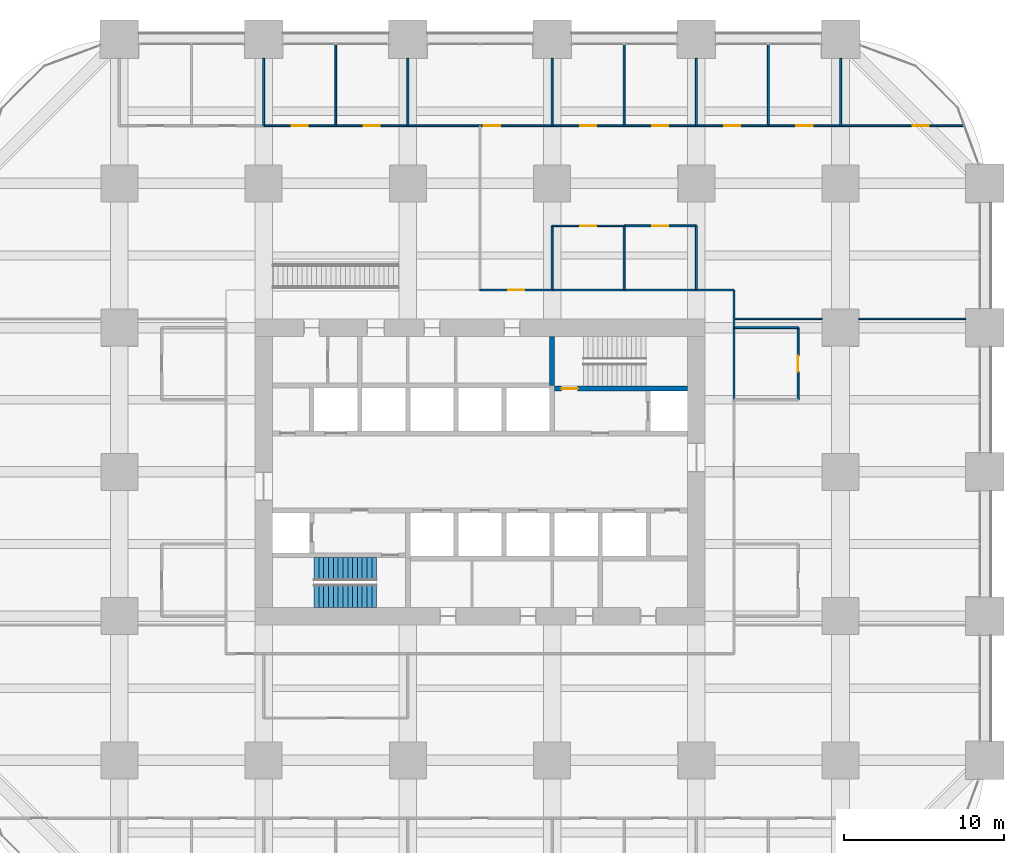
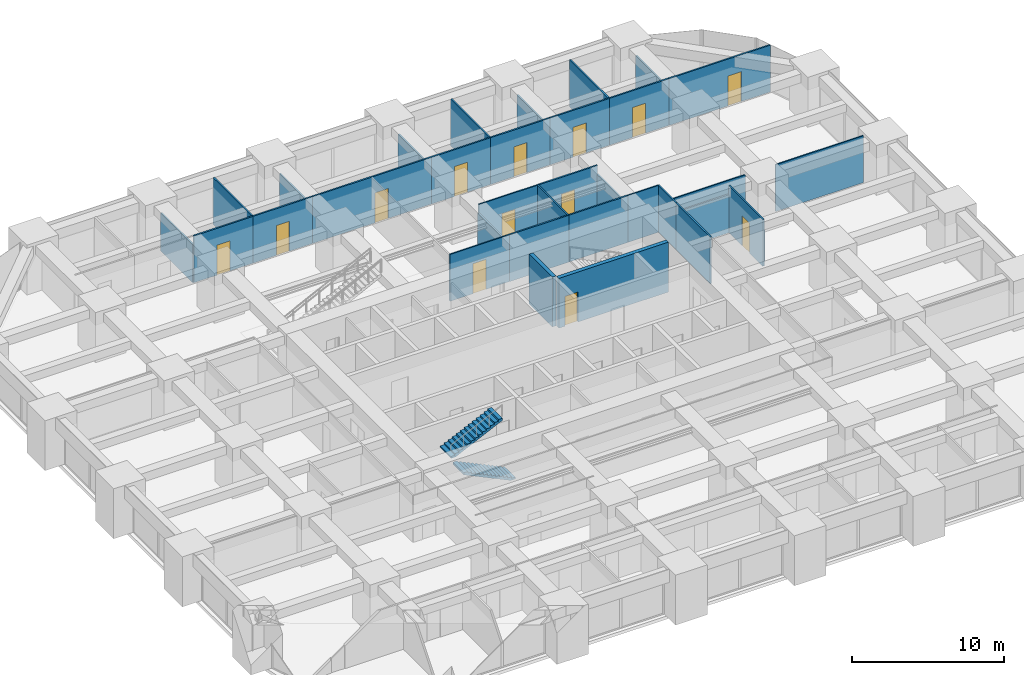
# One storey, part 42 of 45: 33 walls, 13 doors, 2 stair flights, 13 openings, 1 element without a shape of its own.
"""IFC4 building model written with IfcOpenShell, lengths in metres."""

from ifc_helpers import new_model, si_unit, direction, frame, frame_2d, origin, place, context, subcontext, project, spatial, polyline, rectangle, outline, extrude, material, layer, layer_set, type_object, element, fill, aggregate, save


model = new_model("IFC4")

# Units and contexts
model_context = context("Model", 3, precision=1e-05, world=origin(), true_north=direction((0.0, 1.0)))
body_context = subcontext(model_context, "Body", "Model", "MODEL_VIEW")
ifc_project = project(units=[si_unit("LENGTHUNIT", "METRE"), si_unit("AREAUNIT", "SQUARE_METRE"), si_unit("VOLUMEUNIT", "CUBIC_METRE"), si_unit("PLANEANGLEUNIT", "RADIAN"), si_unit("MASSUNIT", "GRAM", prefix="KILO")], contexts=[model_context])

# Site, building, storey
site_placement = place(None, origin())
site = spatial("IfcSite", under=ifc_project, at=site_placement, CompositionType="ELEMENT")
building_placement = place(site_placement, origin())
building = spatial("IfcBuilding", under=site, at=building_placement, Name="Zorevar Civic Tower", CompositionType="ELEMENT")
storey_placement = place(building_placement, frame((0.0, 0.0, 39.800048828125)))
storey = spatial("IfcBuildingStorey", under=building, at=storey_placement, Name="L09", CompositionType="ELEMENT", Elevation=39.800048828125)

# Walls
ifc_material_1 = material(Name="Laminated glass in black aluminium frame", Category="aluminium")
ifc_layer_1 = layer(ifc_material_1, 0.10009765625)
ifc_layer_set_1 = layer_set([ifc_layer_1], Name="Glazed partition 100")
wall_type_1 = type_object("IfcWallType", Name="Glazed partition 100", PredefinedType="PARTITIONING", material=ifc_layer_set_1)
wall_1_placement = place(storey_placement, frame((47.35009765625, 36.550048828125, 0.0), z_axis=(0.0, 0.0, 1.0), x_axis=(1.0, 0.0, 0.0)))
element("IfcWall", 1, at=wall_1_placement, inside=storey, type_object=wall_type_1, Name="Glazed partition 100 L09", PredefinedType="PARTITIONING", context=body_context, shape_type="SweptSolid", body=[
    extrude(rectangle(XDim=5.5, YDim=0.10009765625, at=frame_2d((2.75, 0.0))), origin(), (0.0, 0.0, 1.0), 3.75),
])
wall_2_placement = place(storey_placement, frame((55.14990234375, 36.550048828125, 0.0), z_axis=(0.0, 0.0, 1.0), x_axis=(1.0, 0.0, 0.0)))
element("IfcWall", 2, at=wall_2_placement, inside=storey, type_object=wall_type_1, Name="Glazed partition 100 L09", PredefinedType="PARTITIONING", context=body_context, shape_type="SweptSolid", body=[
    extrude(rectangle(XDim=6.650146484375, YDim=0.10009765625, at=frame_2d((3.3251953125, 0.0))), origin(), (0.0, 0.0, 1.0), 3.75),
])

# Wall, opening, door
wall_3_placement = place(storey_placement, frame((31.5, 38.35009765625, 0.0), z_axis=(0.0, 0.0, 1.0), x_axis=(1.0, 0.0, 0.0)))
wall_3 = element("IfcWall", 3, at=wall_3_placement, inside=storey, type_object=wall_type_1, Name="Glazed partition 100 L09", PredefinedType="PARTITIONING", context=body_context, shape_type="SweptSolid", body=[
    extrude(rectangle(XDim=4.5, YDim=0.10009765625, at=frame_2d((2.25, 0.0))), origin(), (0.0, 0.0, 1.0), 3.75),
])
opening_1_placement = place(wall_3_placement, frame((1.75, 0.0, 0.0)))
opening_1 = element("IfcOpeningElement", 4, at=opening_1_placement, cuts=wall_3, Name="Opening L09.29", PredefinedType="OPENING", context=body_context, shape_type="SweptSolid", body=[
    extrude(rectangle(XDim=1.0, YDim=2.39990234375, at=frame_2d((0.5, 1.199951171875))), frame((0.0, 0.06005859375, 0.0), z_axis=(0.0, -1.0, 0.0), x_axis=(1.0, 0.0, 0.0)), (0.0, 0.0, 1.0), 0.1201171875),
])
ifc_material_2 = material(Name="Timber door set", Category="wood")
door_type_1 = type_object("IfcDoorType", Name="Glazed door GD1 1000x2400", OperationType="SINGLE_SWING_LEFT", PredefinedType="DOOR", material=ifc_material_2)
door_1_placement = place(opening_1_placement, origin())
door_1 = element("IfcDoor", 5, at=door_1_placement, inside=storey, type_object=door_type_1, Name="Door L09 D1", OperationType="SINGLE_SWING_LEFT", OverallHeight=2.39990234375, OverallWidth=1.0, PredefinedType="DOOR", context=body_context, shape_type="SweptSolid", body=[
    extrude(rectangle(XDim=1.0, YDim=2.39990234375, at=frame_2d((0.5, 1.199951171875))), frame((0.0, 0.02001953125, 0.0), z_axis=(0.0, -1.0, 0.0), x_axis=(1.0, 0.0, 0.0)), (0.0, 0.0, 1.0), 0.0400390625),
])
fill(opening_1, door_1)

# Wall
wall_4_placement = place(storey_placement, frame((45.0, 38.35009765625, 0.0), z_axis=(0.0, 0.0, 1.0), x_axis=(1.0, 0.0, 0.0)))
element("IfcWall", 6, at=wall_4_placement, inside=storey, type_object=wall_type_1, Name="Glazed partition 100 L09", PredefinedType="PARTITIONING", context=body_context, shape_type="SweptSolid", body=[
    extrude(rectangle(XDim=2.35009765625, YDim=0.10009765625, at=frame_2d((1.175048828125, 0.0))), origin(), (0.0, 0.0, 1.0), 3.75),
])

# Wall, opening, door
wall_5_placement = place(storey_placement, frame((36.0, 42.35009765625, 0.0), z_axis=(0.0, 0.0, 1.0), x_axis=(1.0, 0.0, 0.0)))
wall_5 = element("IfcWall", 7, at=wall_5_placement, inside=storey, type_object=wall_type_1, Name="Glazed partition 100 L09", PredefinedType="PARTITIONING", context=body_context, shape_type="SweptSolid", body=[
    extrude(rectangle(XDim=4.5, YDim=0.10009765625, at=frame_2d((2.25, 0.0))), origin(), (0.0, 0.0, 1.0), 3.75),
])
opening_2_placement = place(wall_5_placement, frame((1.75, 0.0, 0.0)))
opening_2 = element("IfcOpeningElement", 8, at=opening_2_placement, cuts=wall_5, Name="Opening L09.31", PredefinedType="OPENING", context=body_context, shape_type="SweptSolid", body=[
    extrude(rectangle(XDim=1.0, YDim=2.39990234375, at=frame_2d((0.5, 1.199951171875))), frame((0.0, 0.06005859375, 0.0), z_axis=(0.0, -1.0, 0.0), x_axis=(1.0, 0.0, 0.0)), (0.0, 0.0, 1.0), 0.1201171875),
])
door_2_placement = place(opening_2_placement, origin())
door_2 = element("IfcDoor", 9, at=door_2_placement, inside=storey, type_object=door_type_1, Name="Door L09 D1", OperationType="SINGLE_SWING_RIGHT", OverallHeight=2.39990234375, OverallWidth=1.0, PredefinedType="DOOR", context=body_context, shape_type="SweptSolid", body=[
    extrude(rectangle(XDim=1.0, YDim=2.39990234375, at=frame_2d((0.5, 1.199951171875))), frame((0.0, 0.02001953125, 0.0), z_axis=(0.0, -1.0, 0.0), x_axis=(1.0, 0.0, 0.0)), (0.0, 0.0, 1.0), 0.0400390625),
])
fill(opening_2, door_2)

# Wall
wall_6_placement = place(storey_placement, frame((47.35009765625, 36.0, 0.0), z_axis=(0.0, 0.0, 1.0), x_axis=(0.0, 1.0, 0.0)))
element("IfcWall", 10, at=wall_6_placement, inside=storey, type_object=wall_type_1, Name="Glazed partition 100 L09", PredefinedType="PARTITIONING", context=body_context, shape_type="SweptSolid", body=[
    extrude(rectangle(XDim=2.35009765625, YDim=0.10009765625, at=frame_2d((1.175048828125, 0.0))), origin(), (0.0, 0.0, 1.0), 3.75),
])

# Wall, opening, door
ifc_material_3 = material(Name="Concrete C40/50", Category="concrete")
ifc_layer_2 = layer(ifc_material_3, 0.300048828125)
ifc_layer_set_2 = layer_set([ifc_layer_2], Name="Inner core wall 300")
wall_type_2 = type_object("IfcWallType", Name="Inner core wall 300", PredefinedType="SHEAR", material=ifc_layer_set_2)
wall_7_placement = place(storey_placement, frame((36.14990234375, 32.199951171875, 0.0), z_axis=(0.0, 0.0, 1.0), x_axis=(1.0, 0.0, 0.0)))
wall_7 = element("IfcWall", 11, at=wall_7_placement, inside=storey, type_object=wall_type_2, Name="Inner core wall N00 L09", PredefinedType="SHEAR", context=body_context, shape_type="SweptSolid", body=[
    extrude(rectangle(XDim=8.300048828125, YDim=0.300048828125, at=frame_2d((4.14990234375, 0.0))), origin(), (0.0, 0.0, 1.0), 4.0),
])
opening_3_placement = place(wall_7_placement, frame((0.449951171875, 0.0, 0.0)))
opening_3 = element("IfcOpeningElement", 12, at=opening_3_placement, cuts=wall_7, Name="Opening L09.12", PredefinedType="OPENING", context=body_context, shape_type="SweptSolid", body=[
    extrude(rectangle(XDim=1.0, YDim=2.39990234375, at=frame_2d((0.5, 1.199951171875))), frame((0.0, 0.159912109375, 0.0), z_axis=(0.0, -1.0, 0.0), x_axis=(1.0, 0.0, 0.0)), (0.0, 0.0, 1.0), 0.320068359375),
])
ifc_material_4 = material(Name="Steel door set", Category="steel")
door_type_2 = type_object("IfcDoorType", Name="Fire door FD1 1000x2400", OperationType="SINGLE_SWING_LEFT", PredefinedType="DOOR", material=ifc_material_4)
door_3_placement = place(opening_3_placement, origin())
door_3 = element("IfcDoor", 13, at=door_3_placement, inside=storey, type_object=door_type_2, Name="Door L09 11", OperationType="SINGLE_SWING_RIGHT", OverallHeight=2.39990234375, OverallWidth=1.0, PredefinedType="DOOR", context=body_context, shape_type="SweptSolid", body=[
    extrude(rectangle(XDim=1.0, YDim=2.39990234375, at=frame_2d((0.5, 1.199951171875))), frame((0.0, 0.030029296875, 0.0), z_axis=(0.0, -1.0, 0.0), x_axis=(1.0, 0.0, 0.0)), (0.0, 0.0, 1.0), 0.06005859375),
])
fill(opening_3, door_3)

# Walls
wall_8_placement = place(storey_placement, frame((36.0, 32.39990234375, 0.0), z_axis=(0.0, 0.0, 1.0), x_axis=(0.0, 1.0, 0.0)))
element("IfcWall", 14, at=wall_8_placement, inside=storey, type_object=wall_type_2, Name="Inner core wall N01 L09", PredefinedType="SHEAR", context=body_context, shape_type="SweptSolid", body=[
    extrude(rectangle(XDim=3.050048828125, YDim=0.300048828125, at=frame_2d((1.52490234375, 0.0))), origin(), (0.0, 0.0, 1.0), 4.0),
])
ifc_material_5 = material(Name="Gypsum board on steel studs", Category="steel")
ifc_layer_3 = layer(ifc_material_5, 0.1201171875)
ifc_layer_set_3 = layer_set([ifc_layer_3], Name="Partition 120")
wall_type_3 = type_object("IfcWallType", Name="Partition 120", PredefinedType="PARTITIONING", material=ifc_layer_set_3)
wall_9_placement = place(storey_placement, frame((47.35009765625, 36.0, 0.0), z_axis=(0.0, 0.0, 1.0), x_axis=(1.0, 0.0, 0.0)))
element("IfcWall", 15, at=wall_9_placement, inside=storey, type_object=wall_type_3, Name="Partition 120 L09", PredefinedType="PARTITIONING", context=body_context, shape_type="SweptSolid", body=[
    extrude(rectangle(XDim=4.0, YDim=0.1201171875, at=frame_2d((2.0, 0.0))), origin(), (0.0, 0.0, 1.0), 3.050048828125),
])
for number, where, z_axis, x_axis, name in (
    (16, (36.0, 38.35009765625, 0.0), (0.0, 0.0, 1.0), (1.0, 0.0, 0.0), "Partition 120 L09"),
    (17, (40.5, 38.35009765625, 0.0), (0.0, 0.0, 1.0), (1.0, 0.0, 0.0), "Partition 120 L09"),
):
    element("IfcWall", number, at=place(storey_placement, frame(where, z_axis=z_axis, x_axis=x_axis)), inside=storey, type_object=wall_type_3, Name=name, PredefinedType="PARTITIONING", context=body_context, shape_type="SweptSolid", body=[
        extrude(rectangle(XDim=4.5, YDim=0.1201171875, at=frame_2d((2.25, 0.0))), origin(), (0.0, 0.0, 1.0), 3.75),
    ])

# Wall, opening, door
wall_10_placement = place(storey_placement, frame((40.5, 42.35009765625, 0.0), z_axis=(0.0, 0.0, 1.0), x_axis=(1.0, 0.0, 0.0)))
wall_10 = element("IfcWall", 18, at=wall_10_placement, inside=storey, type_object=wall_type_3, Name="Partition 120 L09", PredefinedType="PARTITIONING", context=body_context, shape_type="SweptSolid", body=[
    extrude(rectangle(XDim=4.5, YDim=0.1201171875, at=frame_2d((2.25, 0.0))), origin(), (0.0, 0.0, 1.0), 3.75),
])
opening_4_placement = place(wall_10_placement, frame((1.75, 0.0, 0.0)))
opening_4 = element("IfcOpeningElement", 19, at=opening_4_placement, cuts=wall_10, Name="Opening L09.30", PredefinedType="OPENING", context=body_context, shape_type="SweptSolid", body=[
    extrude(rectangle(XDim=1.0, YDim=2.39990234375, at=frame_2d((0.5, 1.199951171875))), frame((0.0, 0.070068359375, 0.0), z_axis=(0.0, -1.0, 0.0), x_axis=(1.0, 0.0, 0.0)), (0.0, 0.0, 1.0), 0.14013671875),
])
ifc_material_6 = material(Name="Timber door set", Category="wood")
door_type_3 = type_object("IfcDoorType", Name="Door D1 1000x2400", OperationType="SINGLE_SWING_LEFT", PredefinedType="DOOR", material=ifc_material_6)
door_4_placement = place(opening_4_placement, origin())
door_4 = element("IfcDoor", 20, at=door_4_placement, inside=storey, type_object=door_type_3, Name="Door L09 D1", OperationType="SINGLE_SWING_RIGHT", OverallHeight=2.39990234375, OverallWidth=1.0, PredefinedType="DOOR", context=body_context, shape_type="SweptSolid", body=[
    extrude(rectangle(XDim=1.0, YDim=2.39990234375, at=frame_2d((0.5, 1.199951171875))), frame((0.0, 0.02490234375, 0.0), z_axis=(0.0, -1.0, 0.0), x_axis=(1.0, 0.0, 0.0)), (0.0, 0.0, 1.0), 0.050048828125),
])
fill(opening_4, door_4)

wall_11_placement = place(storey_placement, frame((18.0, 48.60009765625, 0.0), z_axis=(0.0, 0.0, 1.0), x_axis=(1.0, 0.0, 0.0)))
wall_11 = element("IfcWall", 21, at=wall_11_placement, inside=storey, type_object=wall_type_3, Name="Partition 120 L09", PredefinedType="PARTITIONING", context=body_context, shape_type="SweptSolid", body=[
    extrude(rectangle(XDim=4.5, YDim=0.1201171875, at=frame_2d((2.25, 0.0))), origin(), (0.0, 0.0, 1.0), 3.75),
])
opening_5_placement = place(wall_11_placement, frame((1.75, 0.0, 0.0)))
opening_5 = element("IfcOpeningElement", 22, at=opening_5_placement, cuts=wall_11, Name="Opening L09.34", PredefinedType="OPENING", context=body_context, shape_type="SweptSolid", body=[
    extrude(rectangle(XDim=1.0, YDim=2.39990234375, at=frame_2d((0.5, 1.199951171875))), frame((0.0, 0.070068359375, 0.0), z_axis=(0.0, -1.0, 0.0), x_axis=(1.0, 0.0, 0.0)), (0.0, 0.0, 1.0), 0.14013671875),
])
door_5_placement = place(opening_5_placement, origin())
door_5 = element("IfcDoor", 23, at=door_5_placement, inside=storey, type_object=door_type_3, Name="Door L09 D1", OperationType="SINGLE_SWING_RIGHT", OverallHeight=2.39990234375, OverallWidth=1.0, PredefinedType="DOOR", context=body_context, shape_type="SweptSolid", body=[
    extrude(rectangle(XDim=1.0, YDim=2.39990234375, at=frame_2d((0.5, 1.199951171875))), frame((0.0, 0.02490234375, 0.0), z_axis=(0.0, -1.0, 0.0), x_axis=(1.0, 0.0, 0.0)), (0.0, 0.0, 1.0), 0.050048828125),
])
fill(opening_5, door_5)

wall_12_placement = place(storey_placement, frame((22.5, 48.60009765625, 0.0), z_axis=(0.0, 0.0, 1.0), x_axis=(1.0, 0.0, 0.0)))
wall_12 = element("IfcWall", 24, at=wall_12_placement, inside=storey, type_object=wall_type_3, Name="Partition 120 L09", PredefinedType="PARTITIONING", context=body_context, shape_type="SweptSolid", body=[
    extrude(rectangle(XDim=4.5, YDim=0.1201171875, at=frame_2d((2.25, 0.0))), origin(), (0.0, 0.0, 1.0), 3.75),
])
opening_6_placement = place(wall_12_placement, frame((1.75, 0.0, 0.0)))
opening_6 = element("IfcOpeningElement", 25, at=opening_6_placement, cuts=wall_12, Name="Opening L09.35", PredefinedType="OPENING", context=body_context, shape_type="SweptSolid", body=[
    extrude(rectangle(XDim=1.0, YDim=2.39990234375, at=frame_2d((0.5, 1.199951171875))), frame((0.0, 0.070068359375, 0.0), z_axis=(0.0, -1.0, 0.0), x_axis=(1.0, 0.0, 0.0)), (0.0, 0.0, 1.0), 0.14013671875),
])
door_6_placement = place(opening_6_placement, origin())
door_6 = element("IfcDoor", 26, at=door_6_placement, inside=storey, type_object=door_type_3, Name="Door L09 D1", OperationType="SINGLE_SWING_RIGHT", OverallHeight=2.39990234375, OverallWidth=1.0, PredefinedType="DOOR", context=body_context, shape_type="SweptSolid", body=[
    extrude(rectangle(XDim=1.0, YDim=2.39990234375, at=frame_2d((0.5, 1.199951171875))), frame((0.0, 0.02490234375, 0.0), z_axis=(0.0, -1.0, 0.0), x_axis=(1.0, 0.0, 0.0)), (0.0, 0.0, 1.0), 0.050048828125),
])
fill(opening_6, door_6)

wall_13_placement = place(storey_placement, frame((27.0, 48.60009765625, 0.0), z_axis=(0.0, 0.0, 1.0), x_axis=(1.0, 0.0, 0.0)))
wall_13 = element("IfcWall", 27, at=wall_13_placement, inside=storey, type_object=wall_type_3, Name="Partition 120 L09", PredefinedType="PARTITIONING", context=body_context, shape_type="SweptSolid", body=[
    extrude(rectangle(XDim=9.0, YDim=0.1201171875, at=frame_2d((4.5, 0.0))), origin(), (0.0, 0.0, 1.0), 3.75),
])
opening_7_placement = place(wall_13_placement, frame((4.75, 0.0, 0.0)))
opening_7 = element("IfcOpeningElement", 28, at=opening_7_placement, cuts=wall_13, Name="Opening L09.36", PredefinedType="OPENING", context=body_context, shape_type="SweptSolid", body=[
    extrude(rectangle(XDim=1.0, YDim=2.39990234375, at=frame_2d((0.5, 1.199951171875))), frame((0.0, 0.070068359375, 0.0), z_axis=(0.0, -1.0, 0.0), x_axis=(1.0, 0.0, 0.0)), (0.0, 0.0, 1.0), 0.14013671875),
])
door_7_placement = place(opening_7_placement, origin())
door_7 = element("IfcDoor", 29, at=door_7_placement, inside=storey, type_object=door_type_3, Name="Door L09 D1", OperationType="SINGLE_SWING_RIGHT", OverallHeight=2.39990234375, OverallWidth=1.0, PredefinedType="DOOR", context=body_context, shape_type="SweptSolid", body=[
    extrude(rectangle(XDim=1.0, YDim=2.39990234375, at=frame_2d((0.5, 1.199951171875))), frame((0.0, 0.02490234375, 0.0), z_axis=(0.0, -1.0, 0.0), x_axis=(1.0, 0.0, 0.0)), (0.0, 0.0, 1.0), 0.050048828125),
])
fill(opening_7, door_7)

wall_14_placement = place(storey_placement, frame((36.0, 48.60009765625, 0.0), z_axis=(0.0, 0.0, 1.0), x_axis=(1.0, 0.0, 0.0)))
wall_14 = element("IfcWall", 30, at=wall_14_placement, inside=storey, type_object=wall_type_3, Name="Partition 120 L09", PredefinedType="PARTITIONING", context=body_context, shape_type="SweptSolid", body=[
    extrude(rectangle(XDim=4.5, YDim=0.1201171875, at=frame_2d((2.25, 0.0))), origin(), (0.0, 0.0, 1.0), 3.75),
])
opening_8_placement = place(wall_14_placement, frame((1.75, 0.0, 0.0)))
opening_8 = element("IfcOpeningElement", 31, at=opening_8_placement, cuts=wall_14, Name="Opening L09.37", PredefinedType="OPENING", context=body_context, shape_type="SweptSolid", body=[
    extrude(rectangle(XDim=1.0, YDim=2.39990234375, at=frame_2d((0.5, 1.199951171875))), frame((0.0, 0.070068359375, 0.0), z_axis=(0.0, -1.0, 0.0), x_axis=(1.0, 0.0, 0.0)), (0.0, 0.0, 1.0), 0.14013671875),
])
door_8_placement = place(opening_8_placement, origin())
door_8 = element("IfcDoor", 32, at=door_8_placement, inside=storey, type_object=door_type_3, Name="Door L09 D1", OperationType="SINGLE_SWING_LEFT", OverallHeight=2.39990234375, OverallWidth=1.0, PredefinedType="DOOR", context=body_context, shape_type="SweptSolid", body=[
    extrude(rectangle(XDim=1.0, YDim=2.39990234375, at=frame_2d((0.5, 1.199951171875))), frame((0.0, 0.02490234375, 0.0), z_axis=(0.0, -1.0, 0.0), x_axis=(1.0, 0.0, 0.0)), (0.0, 0.0, 1.0), 0.050048828125),
])
fill(opening_8, door_8)

wall_15_placement = place(storey_placement, frame((40.5, 48.60009765625, 0.0), z_axis=(0.0, 0.0, 1.0), x_axis=(1.0, 0.0, 0.0)))
wall_15 = element("IfcWall", 33, at=wall_15_placement, inside=storey, type_object=wall_type_3, Name="Partition 120 L09", PredefinedType="PARTITIONING", context=body_context, shape_type="SweptSolid", body=[
    extrude(rectangle(XDim=4.5, YDim=0.1201171875, at=frame_2d((2.25, 0.0))), origin(), (0.0, 0.0, 1.0), 3.75),
])
opening_9_placement = place(wall_15_placement, frame((1.75, 0.0, 0.0)))
opening_9 = element("IfcOpeningElement", 34, at=opening_9_placement, cuts=wall_15, Name="Opening L09.38", PredefinedType="OPENING", context=body_context, shape_type="SweptSolid", body=[
    extrude(rectangle(XDim=1.0, YDim=2.39990234375, at=frame_2d((0.5, 1.199951171875))), frame((0.0, 0.070068359375, 0.0), z_axis=(0.0, -1.0, 0.0), x_axis=(1.0, 0.0, 0.0)), (0.0, 0.0, 1.0), 0.14013671875),
])
door_9_placement = place(opening_9_placement, origin())
door_9 = element("IfcDoor", 35, at=door_9_placement, inside=storey, type_object=door_type_3, Name="Door L09 D1", OperationType="SINGLE_SWING_LEFT", OverallHeight=2.39990234375, OverallWidth=1.0, PredefinedType="DOOR", context=body_context, shape_type="SweptSolid", body=[
    extrude(rectangle(XDim=1.0, YDim=2.39990234375, at=frame_2d((0.5, 1.199951171875))), frame((0.0, 0.02490234375, 0.0), z_axis=(0.0, -1.0, 0.0), x_axis=(1.0, 0.0, 0.0)), (0.0, 0.0, 1.0), 0.050048828125),
])
fill(opening_9, door_9)

wall_16_placement = place(storey_placement, frame((45.0, 48.60009765625, 0.0), z_axis=(0.0, 0.0, 1.0), x_axis=(1.0, 0.0, 0.0)))
wall_16 = element("IfcWall", 36, at=wall_16_placement, inside=storey, type_object=wall_type_3, Name="Partition 120 L09", PredefinedType="PARTITIONING", context=body_context, shape_type="SweptSolid", body=[
    extrude(rectangle(XDim=4.5, YDim=0.1201171875, at=frame_2d((2.25, 0.0))), origin(), (0.0, 0.0, 1.0), 3.75),
])
opening_10_placement = place(wall_16_placement, frame((1.75, 0.0, 0.0)))
opening_10 = element("IfcOpeningElement", 37, at=opening_10_placement, cuts=wall_16, Name="Opening L09.39", PredefinedType="OPENING", context=body_context, shape_type="SweptSolid", body=[
    extrude(rectangle(XDim=1.0, YDim=2.39990234375, at=frame_2d((0.5, 1.199951171875))), frame((0.0, 0.070068359375, 0.0), z_axis=(0.0, -1.0, 0.0), x_axis=(1.0, 0.0, 0.0)), (0.0, 0.0, 1.0), 0.14013671875),
])
door_10_placement = place(opening_10_placement, origin())
door_10 = element("IfcDoor", 38, at=door_10_placement, inside=storey, type_object=door_type_3, Name="Door L09 D1", OperationType="SINGLE_SWING_RIGHT", OverallHeight=2.39990234375, OverallWidth=1.0, PredefinedType="DOOR", context=body_context, shape_type="SweptSolid", body=[
    extrude(rectangle(XDim=1.0, YDim=2.39990234375, at=frame_2d((0.5, 1.199951171875))), frame((0.0, 0.02490234375, 0.0), z_axis=(0.0, -1.0, 0.0), x_axis=(1.0, 0.0, 0.0)), (0.0, 0.0, 1.0), 0.050048828125),
])
fill(opening_10, door_10)

wall_17_placement = place(storey_placement, frame((49.5, 48.60009765625, 0.0), z_axis=(0.0, 0.0, 1.0), x_axis=(1.0, 0.0, 0.0)))
wall_17 = element("IfcWall", 39, at=wall_17_placement, inside=storey, type_object=wall_type_3, Name="Partition 120 L09", PredefinedType="PARTITIONING", context=body_context, shape_type="SweptSolid", body=[
    extrude(rectangle(XDim=4.5, YDim=0.1201171875, at=frame_2d((2.25, 0.0))), origin(), (0.0, 0.0, 1.0), 3.75),
])
opening_11_placement = place(wall_17_placement, frame((1.75, 0.0, 0.0)))
opening_11 = element("IfcOpeningElement", 40, at=opening_11_placement, cuts=wall_17, Name="Opening L09.40", PredefinedType="OPENING", context=body_context, shape_type="SweptSolid", body=[
    extrude(rectangle(XDim=1.0, YDim=2.39990234375, at=frame_2d((0.5, 1.199951171875))), frame((0.0, 0.070068359375, 0.0), z_axis=(0.0, -1.0, 0.0), x_axis=(1.0, 0.0, 0.0)), (0.0, 0.0, 1.0), 0.14013671875),
])
door_11_placement = place(opening_11_placement, origin())
door_11 = element("IfcDoor", 41, at=door_11_placement, inside=storey, type_object=door_type_3, Name="Door L09 D1", OperationType="SINGLE_SWING_RIGHT", OverallHeight=2.39990234375, OverallWidth=1.0, PredefinedType="DOOR", context=body_context, shape_type="SweptSolid", body=[
    extrude(rectangle(XDim=1.0, YDim=2.39990234375, at=frame_2d((0.5, 1.199951171875))), frame((0.0, 0.02490234375, 0.0), z_axis=(0.0, -1.0, 0.0), x_axis=(1.0, 0.0, 0.0)), (0.0, 0.0, 1.0), 0.050048828125),
])
fill(opening_11, door_11)

wall_18_placement = place(storey_placement, frame((54.0, 48.60009765625, 0.0), z_axis=(0.0, 0.0, 1.0), x_axis=(1.0, 0.0, 0.0)))
wall_18 = element("IfcWall", 42, at=wall_18_placement, inside=storey, type_object=wall_type_3, Name="Partition 120 L09", PredefinedType="PARTITIONING", context=body_context, shape_type="SweptSolid", body=[
    extrude(rectangle(XDim=7.6904296875, YDim=0.1201171875, at=frame_2d((3.84521484375, 0.0))), origin(), (0.0, 0.0, 1.0), 3.75),
])
opening_12_placement = place(wall_18_placement, frame((4.5, 0.0, 0.0)))
opening_12 = element("IfcOpeningElement", 43, at=opening_12_placement, cuts=wall_18, Name="Opening L09.41", PredefinedType="OPENING", context=body_context, shape_type="SweptSolid", body=[
    extrude(rectangle(XDim=1.0, YDim=2.39990234375, at=frame_2d((0.5, 1.199951171875))), frame((0.0, 0.070068359375, 0.0), z_axis=(0.0, -1.0, 0.0), x_axis=(1.0, 0.0, 0.0)), (0.0, 0.0, 1.0), 0.14013671875),
])
door_12_placement = place(opening_12_placement, origin())
door_12 = element("IfcDoor", 44, at=door_12_placement, inside=storey, type_object=door_type_3, Name="Door L09 D1", OperationType="SINGLE_SWING_RIGHT", OverallHeight=2.39990234375, OverallWidth=1.0, PredefinedType="DOOR", context=body_context, shape_type="SweptSolid", body=[
    extrude(rectangle(XDim=1.0, YDim=2.39990234375, at=frame_2d((0.5, 1.199951171875))), frame((0.0, 0.02490234375, 0.0), z_axis=(0.0, -1.0, 0.0), x_axis=(1.0, 0.0, 0.0)), (0.0, 0.0, 1.0), 0.050048828125),
])
fill(opening_12, door_12)

# Walls
wall_19_placement = place(storey_placement, frame((18.0, 48.60009765625, 0.0), z_axis=(0.0, 0.0, 1.0), x_axis=(0.0, 1.0, 0.0)))
element("IfcWall", 45, at=wall_19_placement, inside=storey, type_object=wall_type_3, Name="Partition 120 L09", PredefinedType="PARTITIONING", context=body_context, shape_type="SweptSolid", body=[
    extrude(rectangle(XDim=4.199951171875, YDim=0.1201171875, at=frame_2d((2.10009765625, 0.0))), origin(), (0.0, 0.0, 1.0), 3.050048828125),
])
wall_20_placement = place(storey_placement, frame((22.5, 48.60009765625, 0.0), z_axis=(0.0, 0.0, 1.0), x_axis=(0.0, 1.0, 0.0)))
element("IfcWall", 46, at=wall_20_placement, inside=storey, type_object=wall_type_3, Name="Partition 120 L09", PredefinedType="PARTITIONING", context=body_context, shape_type="SweptSolid", body=[
    extrude(rectangle(XDim=5.08984375, YDim=0.1201171875, at=frame_2d((2.544921875, 0.0))), origin(), (0.0, 0.0, 1.0), 3.75),
])
for number, where, z_axis, x_axis, name in (
    (47, (27.0, 48.60009765625, 0.0), (0.0, 0.0, 1.0), (0.0, 1.0, 0.0), "Partition 120 L09"),
    (48, (36.0, 48.60009765625, 0.0), (0.0, 0.0, 1.0), (0.0, 1.0, 0.0), "Partition 120 L09"),
):
    element("IfcWall", number, at=place(storey_placement, frame(where, z_axis=z_axis, x_axis=x_axis)), inside=storey, type_object=wall_type_3, Name=name, PredefinedType="PARTITIONING", context=body_context, shape_type="SweptSolid", body=[
        extrude(rectangle(XDim=4.199951171875, YDim=0.1201171875, at=frame_2d((2.10009765625, 0.0))), origin(), (0.0, 0.0, 1.0), 3.050048828125),
    ])
wall_21_placement = place(storey_placement, frame((36.0, 38.35009765625, 0.0), z_axis=(0.0, 0.0, 1.0), x_axis=(0.0, 1.0, 0.0)))
element("IfcWall", 49, at=wall_21_placement, inside=storey, type_object=wall_type_3, Name="Partition 120 L09", PredefinedType="PARTITIONING", context=body_context, shape_type="SweptSolid", body=[
    extrude(rectangle(XDim=4.0, YDim=0.1201171875, at=frame_2d((2.0, 0.0))), origin(), (0.0, 0.0, 1.0), 3.050048828125),
])
wall_22_placement = place(storey_placement, frame((40.5, 48.60009765625, 0.0), z_axis=(0.0, 0.0, 1.0), x_axis=(0.0, 1.0, 0.0)))
element("IfcWall", 50, at=wall_22_placement, inside=storey, type_object=wall_type_3, Name="Partition 120 L09", PredefinedType="PARTITIONING", context=body_context, shape_type="SweptSolid", body=[
    extrude(rectangle(XDim=5.08984375, YDim=0.1201171875, at=frame_2d((2.544921875, 0.0))), origin(), (0.0, 0.0, 1.0), 3.75),
])
wall_23_placement = place(storey_placement, frame((40.5, 38.35009765625, 0.0), z_axis=(0.0, 0.0, 1.0), x_axis=(0.0, 1.0, 0.0)))
element("IfcWall", 51, at=wall_23_placement, inside=storey, type_object=wall_type_3, Name="Partition 120 L09", PredefinedType="PARTITIONING", context=body_context, shape_type="SweptSolid", body=[
    extrude(rectangle(XDim=4.0, YDim=0.1201171875, at=frame_2d((2.0, 0.0))), origin(), (0.0, 0.0, 1.0), 3.75),
])
wall_24_placement = place(storey_placement, frame((45.0, 48.60009765625, 0.0), z_axis=(0.0, 0.0, 1.0), x_axis=(0.0, 1.0, 0.0)))
element("IfcWall", 52, at=wall_24_placement, inside=storey, type_object=wall_type_3, Name="Partition 120 L09", PredefinedType="PARTITIONING", context=body_context, shape_type="SweptSolid", body=[
    extrude(rectangle(XDim=4.199951171875, YDim=0.1201171875, at=frame_2d((2.10009765625, 0.0))), origin(), (0.0, 0.0, 1.0), 3.050048828125),
])
wall_25_placement = place(storey_placement, frame((45.0, 38.35009765625, 0.0), z_axis=(0.0, 0.0, 1.0), x_axis=(0.0, 1.0, 0.0)))
element("IfcWall", 53, at=wall_25_placement, inside=storey, type_object=wall_type_3, Name="Partition 120 L09", PredefinedType="PARTITIONING", context=body_context, shape_type="SweptSolid", body=[
    extrude(rectangle(XDim=4.0, YDim=0.1201171875, at=frame_2d((2.0, 0.0))), origin(), (0.0, 0.0, 1.0), 3.050048828125),
])
wall_26_placement = place(storey_placement, frame((47.35009765625, 31.5, 0.0), z_axis=(0.0, 0.0, 1.0), x_axis=(0.0, 1.0, 0.0)))
element("IfcWall", 54, at=wall_26_placement, inside=storey, type_object=wall_type_3, Name="Partition 120 L09", PredefinedType="PARTITIONING", context=body_context, shape_type="SweptSolid", body=[
    extrude(rectangle(XDim=4.5, YDim=0.1201171875, at=frame_2d((2.25, 0.0))), origin(), (0.0, 0.0, 1.0), 3.75),
])
wall_27_placement = place(storey_placement, frame((49.5, 48.60009765625, 0.0), z_axis=(0.0, 0.0, 1.0), x_axis=(0.0, 1.0, 0.0)))
element("IfcWall", 55, at=wall_27_placement, inside=storey, type_object=wall_type_3, Name="Partition 120 L09", PredefinedType="PARTITIONING", context=body_context, shape_type="SweptSolid", body=[
    extrude(rectangle(XDim=5.08984375, YDim=0.1201171875, at=frame_2d((2.544921875, 0.0))), origin(), (0.0, 0.0, 1.0), 3.75),
])

# Wall, opening, door
wall_28_placement = place(storey_placement, frame((51.35009765625, 31.5, 0.0), z_axis=(0.0, 0.0, 1.0), x_axis=(0.0, 1.0, 0.0)))
wall_28 = element("IfcWall", 56, at=wall_28_placement, inside=storey, type_object=wall_type_3, Name="Partition 120 L09", PredefinedType="PARTITIONING", context=body_context, shape_type="SweptSolid", body=[
    extrude(rectangle(XDim=4.5, YDim=0.1201171875, at=frame_2d((2.25, 0.0))), origin(), (0.0, 0.0, 1.0), 3.75),
])
opening_13_placement = place(wall_28_placement, frame((1.75, 0.0, 0.0)))
opening_13 = element("IfcOpeningElement", 57, at=opening_13_placement, cuts=wall_28, Name="Opening L09.46", PredefinedType="OPENING", context=body_context, shape_type="SweptSolid", body=[
    extrude(rectangle(XDim=1.0, YDim=2.39990234375, at=frame_2d((0.5, 1.199951171875))), frame((0.0, 0.070068359375, 0.0), z_axis=(0.0, -1.0, 0.0), x_axis=(1.0, 0.0, 0.0)), (0.0, 0.0, 1.0), 0.14013671875),
])
door_13_placement = place(opening_13_placement, origin())
door_13 = element("IfcDoor", 58, at=door_13_placement, inside=storey, type_object=door_type_3, Name="Door L09 D1", OperationType="SINGLE_SWING_RIGHT", OverallHeight=2.39990234375, OverallWidth=1.0, PredefinedType="DOOR", context=body_context, shape_type="SweptSolid", body=[
    extrude(rectangle(XDim=1.0, YDim=2.39990234375, at=frame_2d((0.5, 1.199951171875))), frame((0.0, 0.02490234375, 0.0), z_axis=(0.0, -1.0, 0.0), x_axis=(1.0, 0.0, 0.0)), (0.0, 0.0, 1.0), 0.050048828125),
])
fill(opening_13, door_13)

# Wall
wall_29_placement = place(storey_placement, frame((54.0, 48.60009765625, 0.0), z_axis=(0.0, 0.0, 1.0), x_axis=(0.0, 1.0, 0.0)))
element("IfcWall", 59, at=wall_29_placement, inside=storey, type_object=wall_type_3, Name="Partition 120 L09", PredefinedType="PARTITIONING", context=body_context, shape_type="SweptSolid", body=[
    extrude(rectangle(XDim=4.199951171875, YDim=0.1201171875, at=frame_2d((2.10009765625, 0.0))), origin(), (0.0, 0.0, 1.0), 3.050048828125),
])

# Stair, stair flights
ifc_material_7 = material(Name="Precast concrete C40/50", Category="concrete")
stair_type = type_object("IfcStairType", Name="Stair ST 28R", PredefinedType="HALF_TURN_STAIR", material=ifc_material_7)
stair_placement = place(storey_placement, origin())
stair = element("IfcStair", 60, at=stair_placement, inside=storey, type_object=stair_type, Name="Stair ST1 L09", PredefinedType="HALF_TURN_STAIR")
ifc_material_8 = material(Name="Precast concrete C40/50", Category="concrete")
stair_flight_type = type_object("IfcStairFlightType", Name="Stair flight", PredefinedType="STRAIGHT", material=ifc_material_8)
stair_flight_1_placement = place(storey_placement, frame((25.050048828125, 19.262451171875, 0.0), z_axis=(0.0, 0.0, 1.0), x_axis=(-1.0, 0.0, 0.0)))
stair_flight_1 = element("IfcStairFlight", 61, at=stair_flight_1_placement, type_object=stair_flight_type, Name="ST1 flight 1", NumberOfRisers=14, NumberOfTreads=13, PredefinedType="STRAIGHT", RiserHeight=0.142857143, TreadLength=0.3, context=body_context, shape_type="SweptSolid", body=[
    extrude(outline(polyline([(0.0, 0.0), (0.0, 0.142822265625), (0.300048828125, 0.142822265625), (0.300048828125, 0.28564453125), (0.60009765625, 0.28564453125), (0.60009765625, 0.428466796875), (0.89990234375, 0.428466796875), (0.89990234375, 0.571533203125), (1.199951171875, 0.571533203125), (1.199951171875, 0.71435546875), (1.5, 0.71435546875), (1.5, 0.857177734375), (1.800048828125, 0.857177734375), (1.800048828125, 1.0), (2.10009765625, 1.0), (2.10009765625, 1.142822265625), (2.39990234375, 1.142822265625), (2.39990234375, 1.28564453125), (2.699951171875, 1.28564453125), (2.699951171875, 1.428466796875), (3.0, 1.428466796875), (3.0, 1.571533203125), (3.300048828125, 1.571533203125), (3.300048828125, 1.71435546875), (3.60009765625, 1.71435546875), (3.60009765625, 1.857177734375), (3.89990234375, 1.857177734375), (3.89990234375, 2.0), (3.89990234375, 1.691162109375), (0.3486328125, 0.0), (0.0, 0.0)])), frame((0.0, 0.71240234375, 0.0), z_axis=(0.0, -1.0, 0.0), x_axis=(1.0, 0.0, 0.0)), (0.0, 0.0, 1.0), 1.425048828125),
])
stair_flight_2_placement = place(storey_placement, frame((21.14990234375, 20.9375, 2.0), z_axis=(0.0, 0.0, 1.0), x_axis=(1.0, 0.0, 0.0)))
stair_flight_2 = element("IfcStairFlight", 62, at=stair_flight_2_placement, type_object=stair_flight_type, Name="ST1 flight 2", NumberOfRisers=14, NumberOfTreads=13, PredefinedType="STRAIGHT", RiserHeight=0.142857143, TreadLength=0.3, context=body_context, shape_type="SweptSolid", body=[
    extrude(outline(polyline([(0.0, 0.0), (0.0, 0.142822265625), (0.300048828125, 0.142822265625), (0.300048828125, 0.28564453125), (0.60009765625, 0.28564453125), (0.60009765625, 0.428466796875), (0.89990234375, 0.428466796875), (0.89990234375, 0.571533203125), (1.199951171875, 0.571533203125), (1.199951171875, 0.71435546875), (1.5, 0.71435546875), (1.5, 0.857177734375), (1.800048828125, 0.857177734375), (1.800048828125, 1.0), (2.10009765625, 1.0), (2.10009765625, 1.142822265625), (2.39990234375, 1.142822265625), (2.39990234375, 1.28564453125), (2.699951171875, 1.28564453125), (2.699951171875, 1.428466796875), (3.0, 1.428466796875), (3.0, 1.571533203125), (3.300048828125, 1.571533203125), (3.300048828125, 1.71435546875), (3.60009765625, 1.71435546875), (3.60009765625, 1.857177734375), (3.89990234375, 1.857177734375), (3.89990234375, 2.0), (3.89990234375, 1.691162109375), (0.3486328125, 0.0), (0.0, 0.0)])), frame((0.0, 0.71240234375, 0.0), z_axis=(0.0, -1.0, 0.0), x_axis=(1.0, 0.0, 0.0)), (0.0, 0.0, 1.0), 1.425048828125),
])
aggregate(stair, [stair_flight_1, stair_flight_2])

save(model, "model.ifc")
